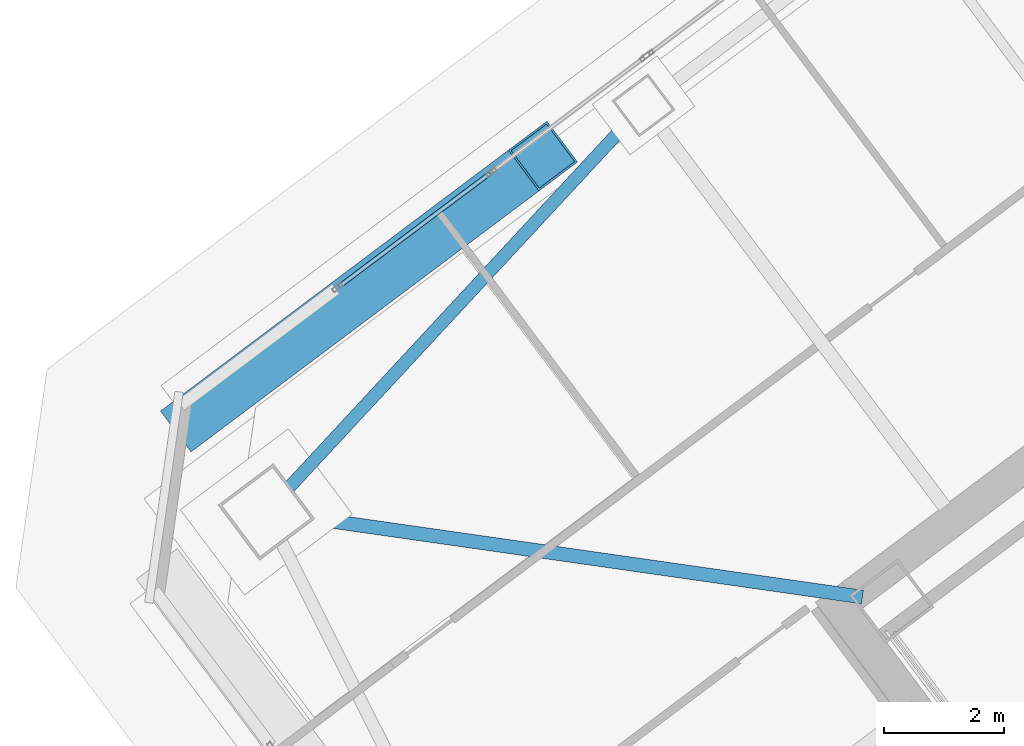
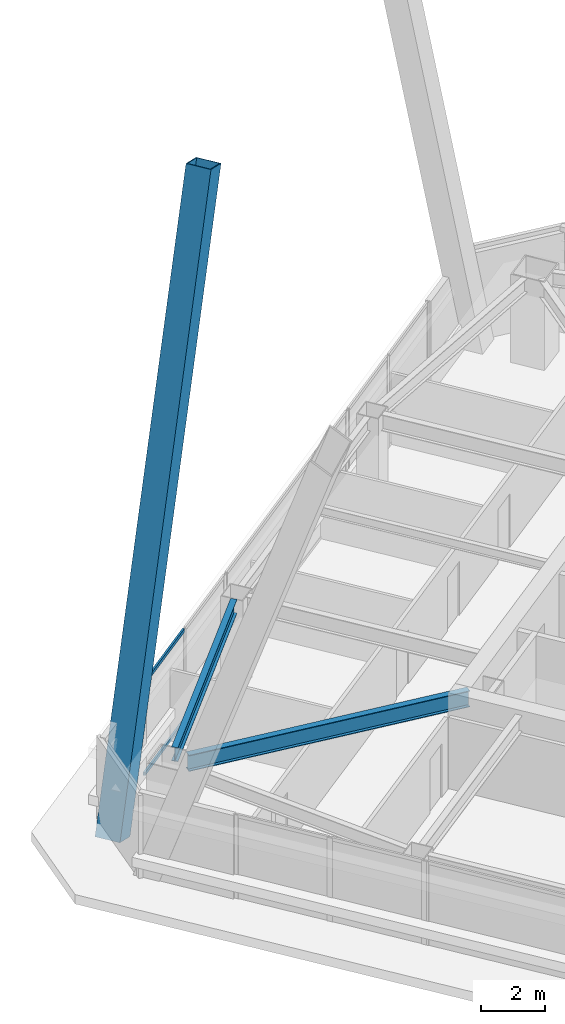
# One storey, part 36 of 65: 3 members, 2 beams, 1 element without a shape of its own.
"""IFC4 building model written with IfcOpenShell, lengths in metres."""

from ifc_helpers import new_model, si_unit, direction, frame, origin, origin_2d, place, context, subcontext, project, spatial, hollow_rectangle, i_section, extrude, material, material_profile, profile_set, type_object, element, aggregate, save


model = new_model("IFC4")

# Units and contexts
model_context = context("Model", 3, precision=1e-05, world=origin(), true_north=direction((0.0, 1.0)))
body_context = subcontext(model_context, "Body", "Model", "MODEL_VIEW")
ifc_project = project(units=[si_unit("LENGTHUNIT", "METRE"), si_unit("AREAUNIT", "SQUARE_METRE"), si_unit("VOLUMEUNIT", "CUBIC_METRE"), si_unit("PLANEANGLEUNIT", "RADIAN"), si_unit("MASSUNIT", "GRAM", prefix="KILO")], contexts=[model_context])

# Site, building, storey
site_placement = place(None, origin())
site = spatial("IfcSite", under=ifc_project, at=site_placement, CompositionType="ELEMENT")
building_placement = place(site_placement, origin())
building = spatial("IfcBuilding", under=site, at=building_placement, Name="Tashvorn Skyway Center", CompositionType="ELEMENT")
storey_placement = place(building_placement, frame((0.0, 0.0, 157.0)))
storey = spatial("IfcBuildingStorey", under=building, at=storey_placement, Name="L42", CompositionType="ELEMENT", Elevation=157.0)

# Beams
ifc_material_1 = material(Name="Steel ASTM A992 Grade 50", Category="steel")
ifc_material_profile_1 = material_profile(ifc_material_1, i_section(OverallWidth=0.22998046875, OverallDepth=0.616943359375, WebThickness=0.01318359375, FlangeThickness=0.022216796875, at=origin_2d()), Name="W24X94")
ifc_profile_set_1 = profile_set([ifc_material_profile_1], Name="Steel ASTM A992 Grade 50")
beam_type_1 = type_object("IfcBeamType", Name="BM-BEAM-W24X94", PredefinedType="BEAM", material=ifc_profile_set_1)
beam_1_placement = place(storey_placement, frame((94.26416015625, 34.8193359375, 3.0615234375), z_axis=(0.989950009213, -0.141417747326, 0.0), x_axis=(0.141417747326, 0.989950009213, 0.0)))
element("IfcBeam", 1, at=beam_1_placement, inside=storey, type_object=beam_type_1, Name="Tower 2 L42 Primary Floor Girder MC-NW", PredefinedType="BEAM", context=body_context, shape_type="SweptSolid", body=[
    extrude(i_section(OverallWidth=0.22998046875, OverallDepth=0.616943359375, WebThickness=0.01318359375, FlangeThickness=0.022216796875, at=origin_2d()), origin(), (0.0, 0.0, 1.0), 9.470947265625),
])
ifc_material_profile_2 = material_profile(ifc_material_1, i_section(OverallWidth=0.2109375, OverallDepth=0.5390625, WebThickness=0.01171875, FlangeThickness=0.018798828125, at=origin_2d()), Name="W21X73")
ifc_profile_set_2 = profile_set([ifc_material_profile_2], Name="Steel ASTM A992 Grade 50")
beam_type_2 = type_object("IfcBeamType", Name="BM-SPANDREL-W21X73", PredefinedType="SPANDREL", material=ifc_profile_set_2)
beam_2_placement = place(storey_placement, frame((99.73828125, 41.40869140625, 3.1005859375), z_axis=(-0.680119661736, -0.733101115618, 0.0), x_axis=(0.733101115618, -0.680119661736, 0.0)))
element("IfcBeam", 2, at=beam_2_placement, inside=storey, type_object=beam_type_2, Name="Tower 2 L42 Spandrel Beam 09", PredefinedType="SPANDREL", context=body_context, shape_type="SweptSolid", body=[
    extrude(i_section(OverallWidth=0.2109375, OverallDepth=0.5390625, WebThickness=0.01171875, FlangeThickness=0.018798828125, at=origin_2d()), origin(), (0.0, 0.0, 1.0), 8.308349609375),
])

# Curtain wall, members
ifc_material_2 = material(Name="Thermally broken bronze-anodized aluminium 6063-T6", Category="aluminium")
curtain_wall_type = type_object("IfcCurtainWallType", Name="CW-CW-Z4", PredefinedType="NOTDEFINED", material=ifc_material_2)
curtain_wall_placement = place(storey_placement, origin())
curtain_wall = element("IfcCurtainWall", 3, at=curtain_wall_placement, inside=storey, type_object=curtain_wall_type, Name="Tower 2 L42 North Unitised Curtain Wall Glazing Group 1", PredefinedType="NOTDEFINED")
ifc_material_profile_3 = material_profile(ifc_material_2, hollow_rectangle(XDim=0.070068359375, YDim=0.1298828125, WallThickness=0.00390625, at=origin_2d()), Name="ALU-TRAN-70x130")
ifc_profile_set_3 = profile_set([ifc_material_profile_3], Name="Thermally broken bronze-anodized aluminium 6063-T6")
member_type_1 = type_object("IfcMemberType", Name="CWT-CW-Z4", PredefinedType="USERDEFINED", material=ifc_profile_set_3)
member_1_placement = place(storey_placement, frame((94.916015625, 38.662109375, 0.034912109375), z_axis=(0.800028034763, 0.599962618496, 0.0), x_axis=(-0.599962618496, 0.800028034763, 0.0)))
member_1 = element("IfcMember", 4, at=member_1_placement, type_object=member_type_1, Name="CW-Z4 transom 1.1", ObjectType="TRANSOM", PredefinedType="USERDEFINED", context=body_context, shape_type="SweptSolid", body=[
    extrude(hollow_rectangle(XDim=0.070068359375, YDim=0.1298828125, WallThickness=0.00390625, at=origin_2d()), origin(), (0.0, 0.0, 1.0), 3.135009765625),
])
member_2_placement = place(storey_placement, frame((94.916015625, 38.662109375, 3.514892578125), z_axis=(0.800028034763, 0.599962618496, 0.0), x_axis=(-0.599962618496, 0.800028034763, 0.0)))
member_2 = element("IfcMember", 5, at=member_2_placement, type_object=member_type_1, Name="CW-Z4 transom 1.2", ObjectType="TRANSOM", PredefinedType="USERDEFINED", context=body_context, shape_type="SweptSolid", body=[
    extrude(hollow_rectangle(XDim=0.070068359375, YDim=0.1298828125, WallThickness=0.00390625, at=origin_2d()), origin(), (0.0, 0.0, 1.0), 3.135009765625),
])
aggregate(curtain_wall, [member_1, member_2])

# Member
ifc_material_3 = material(Name="Steel ASTM A572 Grade 50", Category="steel")
ifc_material_profile_4 = material_profile(ifc_material_3, hollow_rectangle(XDim=0.85009765625, YDim=0.85009765625, WallThickness=0.034912109375, at=origin_2d()), Name="BOX850x850x35")
ifc_profile_set_4 = profile_set([ifc_material_profile_4], Name="Steel ASTM A572 Grade 50")
member_type_2 = type_object("IfcMemberType", Name="MEM-MB-850", PredefinedType="BRACE", material=ifc_profile_set_4)
member_3_placement = place(storey_placement, frame((92.511962890625, 36.48388671875, -0.199951171875), z_axis=(0.260516960209, 0.195390461632, 0.945491132135), x_axis=(-0.600005387845, 0.799995959088, 0.0)))
element("IfcMember", 6, at=member_3_placement, inside=storey, type_object=member_type_2, Name="Tower 2 Zone 4 N Chevron Mega-Brace R1", PredefinedType="BRACE", context=body_context, shape_type="SweptSolid", body=[
    extrude(hollow_rectangle(XDim=0.85009765625, YDim=0.85009765625, WallThickness=0.034912109375, at=origin_2d()), origin(), (0.0, 0.0, 1.0), 22.263671875),
])

save(model, "model.ifc")
